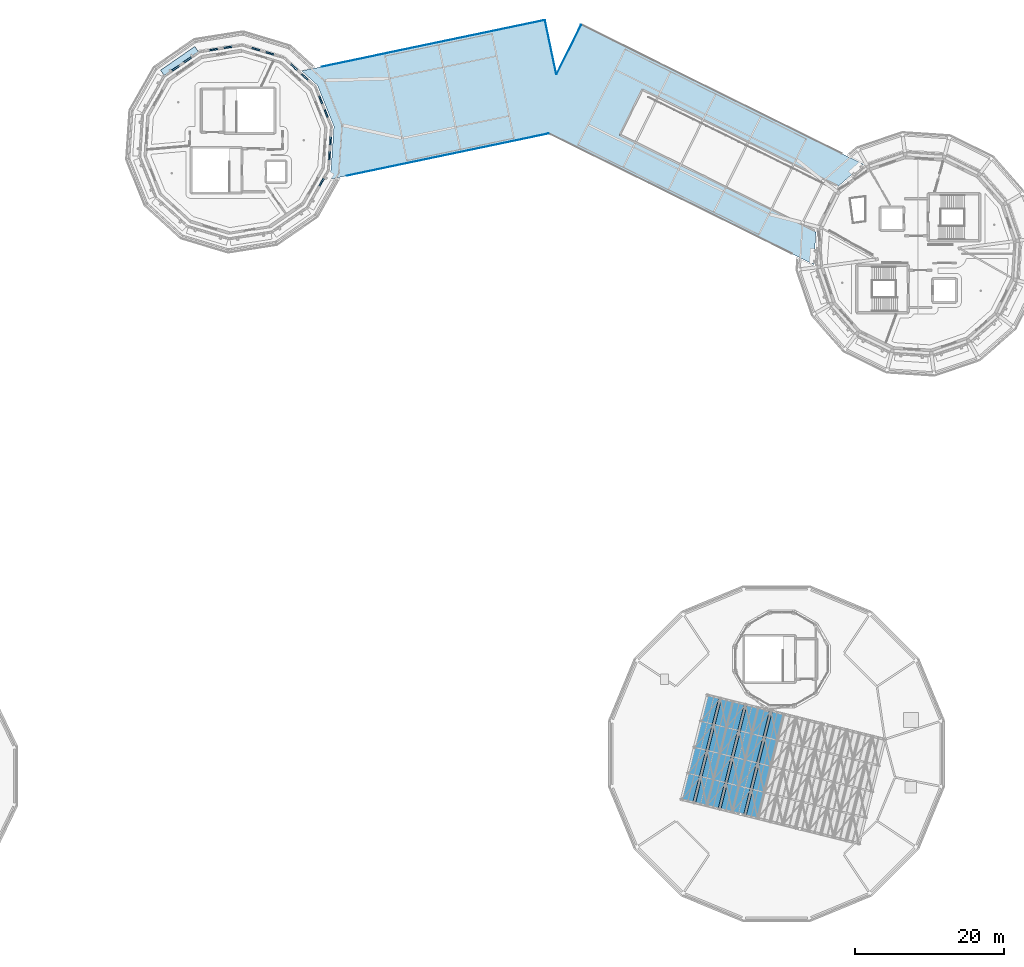
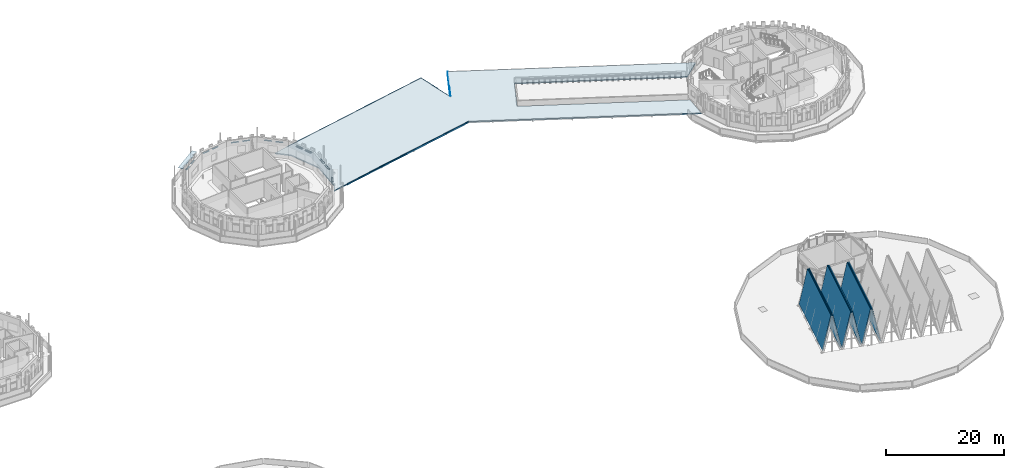
# One storey, part 19 of 51: 18 plates, 7 slabs.
"""IFC4 building model written with IfcOpenShell, lengths in metres."""

from ifc_helpers import new_model, si_unit, direction, frame, origin, origin_2d, place, context, subcontext, project, spatial, polyline, rectangle, outline, extrude, material, layer, layer_set, type_object, element, save


model = new_model("IFC4")

# Units and contexts
model_context = context("Model", 3, precision=1e-05, world=origin(), true_north=direction((0.0, 1.0)))
body_context = subcontext(model_context, "Body", "Model", "MODEL_VIEW")
ifc_project = project(units=[si_unit("LENGTHUNIT", "METRE"), si_unit("AREAUNIT", "SQUARE_METRE"), si_unit("VOLUMEUNIT", "CUBIC_METRE"), si_unit("PLANEANGLEUNIT", "RADIAN"), si_unit("MASSUNIT", "GRAM", prefix="KILO")], contexts=[model_context])

# Site, building, storey
site_placement = place(None, origin())
site = spatial("IfcSite", under=ifc_project, at=site_placement, CompositionType="ELEMENT")
building_placement = place(site_placement, origin())
building = spatial("IfcBuilding", under=site, at=building_placement, Name="Wrenclough Park School", CompositionType="ELEMENT")
storey_placement = place(building_placement, frame((0.0, 0.0, 16.800048828125)))
storey = spatial("IfcBuildingStorey", under=building, at=storey_placement, Name="L04", CompositionType="ELEMENT", Elevation=16.800048828125)

# Plates
ifc_material_1 = material(Name="Anodised architectural aluminium solar shading fin plate", Category="aluminium")
ifc_layer_1 = layer(ifc_material_1, 0.0380859375)
ifc_layer_set_1 = layer_set([ifc_layer_1], Name="Anodised architectural aluminium solar shading fin plate")
plate_type_1 = type_object("IfcPlateType", Name="ENV-PL-BSF", PredefinedType="SHEET", material=ifc_layer_set_1)
for number, where, z_axis, x_axis, name in (
    (1, (95.141357421875, 112.315185546875, 2.60595703125), (0.0, 0.0, 1.0), (-0.372297383376, 0.928113494316, 0.0), "D4 L04 open-bond brick screen tie band 0677"),
    (2, (94.412353515625, 114.1328125, 2.60595703125), (0.0, 0.0, 1.0), (-0.372297383376, 0.928113494316, 0.0), "D4 L04 open-bond brick screen tie band 0678"),
    (3, (92.28369140625, 117.205322265625, 2.60595703125), (0.0, 0.0, 1.0), (-0.738116484598, 0.674673295133, 0.0), "D4 L04 open-bond brick screen tie band 0679"),
    (4, (90.83837890625, 118.526611328125, 2.60595703125), (0.0, 0.0, 1.0), (-0.738116484598, 0.674673295133, 0.0), "D4 L04 open-bond brick screen tie band 0680"),
):
    element("IfcPlate", number, at=place(storey_placement, frame(where, z_axis=z_axis, x_axis=x_axis)), inside=storey, type_object=plate_type_1, Name=name, PredefinedType="SHEET", context=body_context, shape_type="SweptSolid", body=[
        extrude(rectangle(XDim=1.248291015625, YDim=0.219970703125, at=origin_2d()), origin(), (0.0, 0.0, 1.0), 0.0419921875),
    ])
for number, where, z_axis, x_axis, name in (
    (5, (87.587158203125, 120.371337890625, 2.60595703125), (0.0, 0.0, 1.0), (-0.957750821149, 0.287599312567, 0.0), "D4 L04 open-bond brick screen tie band 0681"),
    (6, (85.711669921875, 120.9345703125, 2.60595703125), (0.0, 0.0, 1.0), (-0.957750821149, 0.287599312567, 0.0), "D4 L04 open-bond brick screen tie band 0682"),
):
    element("IfcPlate", number, at=place(storey_placement, frame(where, z_axis=z_axis, x_axis=x_axis)), inside=storey, type_object=plate_type_1, Name=name, PredefinedType="SHEET", context=body_context, shape_type="SweptSolid", body=[
        extrude(rectangle(XDim=1.248046875, YDim=0.219970703125, at=origin_2d()), origin(), (0.0, 0.0, 1.0), 0.0419921875),
    ])
for number, where, z_axis, x_axis, name in (
    (7, (81.982177734375, 121.18603515625, 2.60595703125), (0.0, 0.0, 1.0), (-0.987688183791, -0.156435455059, 0.0), "D4 L04 open-bond brick screen tie band 0683"),
    (8, (80.048095703125, 120.879638671875, 2.60595703125), (0.0, 0.0, 1.0), (-0.987688183791, -0.156435455059, 0.0), "D4 L04 open-bond brick screen tie band 0684"),
):
    element("IfcPlate", number, at=place(storey_placement, frame(where, z_axis=z_axis, x_axis=x_axis)), inside=storey, type_object=plate_type_1, Name=name, PredefinedType="SHEET", context=body_context, shape_type="SweptSolid", body=[
        extrude(rectangle(XDim=1.248291015625, YDim=0.219970703125, at=origin_2d()), origin(), (0.0, 0.0, 1.0), 0.0419921875),
    ])
for number, where, z_axis, x_axis, name in (
    (9, (76.57861328125, 119.48779296875, 2.60595703125), (0.0, 0.0, 1.0), (-0.822007690822, -0.569476387771, 0.0), "D4 L04 open-bond brick screen tie band 0685"),
    (10, (74.968994140625, 118.372802734375, 2.60595703125), (0.0, 0.0, 1.0), (-0.822007690822, -0.569476387771, 0.0), "D4 L04 open-bond brick screen tie band 0686"),
):
    element("IfcPlate", number, at=place(storey_placement, frame(where, z_axis=z_axis, x_axis=x_axis)), inside=storey, type_object=plate_type_1, Name=name, PredefinedType="SHEET", context=body_context, shape_type="SweptSolid", body=[
        extrude(rectangle(XDim=1.248046875, YDim=0.219970703125, at=origin_2d()), origin(), (0.0, 0.0, 1.0), 0.0419921875),
    ])
plate_1_placement = place(storey_placement, frame((75.47900390625, 119.355712890625, 3.5009765625), z_axis=(0.0, 0.0, 1.0), x_axis=(-0.822007690822, -0.569476387771, 0.0)))
element("IfcPlate", 11, at=plate_1_placement, inside=storey, type_object=plate_type_1, Name="D4 L04 sun-side projecting brise-soleil blade 0126", PredefinedType="SHEET", context=body_context, shape_type="SweptSolid", body=[
    extrude(rectangle(XDim=5.574462890625, YDim=0.85009765625, at=origin_2d()), origin(), (0.0, 0.0, 1.0), 0.0380859375),
])
for number, where, z_axis, x_axis, name in (
    (12, (94.519287109375, 103.08935546875, 2.60595703125), (0.0, 0.0, 1.0), (0.493498687923, 0.869746540676, 0.0), "D4 L04 open-bond brick screen tie band 0702"),
    (13, (95.594482421875, 106.669677734375, 2.60595703125), (0.0, 0.0, 1.0), (0.067273714794, 0.997734557534, 0.0), "D4 L04 open-bond brick screen tie band 0703"),
    (14, (95.726318359375, 108.623291015625, 2.60595703125), (0.0, 0.0, 1.0), (0.067273714794, 0.997734557534, 0.0), "D4 L04 open-bond brick screen tie band 0704"),
):
    element("IfcPlate", number, at=place(storey_placement, frame(where, z_axis=z_axis, x_axis=x_axis)), inside=storey, type_object=plate_type_1, Name=name, PredefinedType="SHEET", context=body_context, shape_type="SweptSolid", body=[
        extrude(rectangle(XDim=1.248291015625, YDim=0.219970703125, at=origin_2d()), origin(), (0.0, 0.0, 1.0), 0.0419921875),
    ])
ifc_material_2 = material(Name="Patinated copper-alloy architectural eave fascia cassette", Category="aluminium")
ifc_layer_2 = layer(ifc_material_2, 0.028076171875)
ifc_layer_set_2 = layer_set([ifc_layer_2], Name="Patinated copper-alloy architectural eave fascia cassette")
plate_type_2 = type_object("IfcPlateType", Name="ENV-PL-FAS", PredefinedType="SHEET", material=ifc_layer_set_2)
plate_2_placement = place(storey_placement, frame((111.428955078125, 106.792724609375, -0.2900390625), z_axis=(0.0, 0.0, 1.0), x_axis=(0.97879027484, 0.204864828309, 0.0)))
element("IfcPlate", 15, at=plate_2_placement, inside=storey, type_object=plate_type_2, Name="Overhanging copper eave fascia plate 020", PredefinedType="SHEET", context=body_context, shape_type="SweptSolid", body=[
    extrude(rectangle(XDim=27.6044921875, YDim=0.028076171875, at=origin_2d()), origin(), (0.0, 0.0, 1.0), 0.340087890625),
])
for number, where, z_axis, x_axis, name in (
    (16, (127.667724609375, 120.85888671875, -0.2900390625), (0.0, 0.0, 1.0), (-0.443519128888, -0.896264906325, 0.0), "Overhanging copper eave fascia plate 023"),
    (17, (125.226806640625, 121.16943359375, -0.2900390625), (0.0, 0.0, 1.0), (-0.20486731303, 0.978789754775, 0.0), "Overhanging copper eave fascia plate 024"),
):
    element("IfcPlate", number, at=place(storey_placement, frame(where, z_axis=z_axis, x_axis=x_axis)), inside=storey, type_object=plate_type_2, Name=name, PredefinedType="SHEET", context=body_context, shape_type="SweptSolid", body=[
        extrude(rectangle(XDim=7.3798828125, YDim=0.028076171875, at=origin_2d()), origin(), (0.0, 0.0, 1.0), 0.340087890625),
    ])
plate_3_placement = place(storey_placement, frame((109.472412109375, 121.697998046875, -0.2900390625), z_axis=(0.0, 0.0, 1.0), x_axis=(-0.978791059344, -0.204861080119, 0.0)))
element("IfcPlate", 18, at=plate_3_placement, inside=storey, type_object=plate_type_2, Name="Overhanging copper eave fascia plate 025", PredefinedType="SHEET", context=body_context, shape_type="SweptSolid", body=[
    extrude(rectangle(XDim=30.51416015625, YDim=0.028076171875, at=origin_2d()), origin(), (0.0, 0.0, 1.0), 0.340087890625),
])

# Slabs
ifc_material_3 = material(Name="Concrete C32/40", Category="concrete")
ifc_layer_3 = layer(ifc_material_3, 0.179931640625)
ifc_layer_set_3 = layer_set([ifc_layer_3], Name="Concrete C32/40")
slab_type_1 = type_object("IfcSlabType", Name="STR-SL-RF180", PredefinedType="ROOF", material=ifc_layer_set_3)
slab_1_placement = place(storey_placement, frame((142.849609375, 20.358154296875, 0.384033203125), z_axis=(-0.949900437285, 0.236825720366, 0.203967491081), x_axis=(0.197905247012, -0.04935839235, 0.978977661803)))
element("IfcSlab", 19, at=slab_1_placement, inside=storey, type_object=slab_type_1, Name="D1 folded-plate roof bay 1 west facet", PredefinedType="ROOF", context=body_context, shape_type="SweptSolid", body=[
    extrude(outline(polyline([(0.0, 0.0), (7.2456109501398025, 9.053088140253962e-18), (7.245337979377833, 14.400082108553686), (-0.00021260366251574236, 14.399904280685446), (0.0, 0.0)])), origin(), (0.0, 0.0, -1.0), 0.179931640625),
])
slab_2_placement = place(storey_placement, frame((144.656494140625, 19.90771484375, 7.477294921875), z_axis=(0.94989404651, -0.236834495014, 0.203987064239), x_axis=(0.197924238664, -0.04936312728, -0.978973583614)))
element("IfcSlab", 20, at=slab_2_placement, inside=storey, type_object=slab_type_1, Name="D1 folded-plate roof bay 1 east facet", PredefinedType="ROOF", context=body_context, shape_type="SweptSolid", body=[
    extrude(outline(polyline([(0.0, 0.0), (7.2456109515879605, -1.1655173354219173e-17), (7.245398350821805, 14.399904281414157), (-0.00021260076615592371, 14.399904281414159), (0.0, 0.0)])), origin(), (0.0, 0.0, -1.0), 0.179931640625),
])
slab_3_placement = place(storey_placement, frame((146.24560546875, 19.51123046875, 0.384033203125), z_axis=(-0.949897816625, 0.236839595575, 0.203963584837), x_axis=(0.197909366175, -0.049325724098, 0.978978475618)))
element("IfcSlab", 21, at=slab_3_placement, inside=storey, type_object=slab_type_1, Name="D1 folded-plate roof bay 2 west facet", PredefinedType="ROOF", context=body_context, shape_type="SweptSolid", body=[
    extrude(outline(polyline([(0.0, 0.0), (7.2455989032185215, -7.838781707070197e-17), (7.24584505314349, 14.400141169179536), (0.00029446764131890735, 14.400200232050082), (0.0, 0.0)])), origin(), (0.0, 0.0, -1.0), 0.179931640625),
])
for number, where, z_axis, x_axis, name in (
    (22, (148.052490234375, 19.060791015625, 7.477294921875), (0.949896541227, -0.236841346747, 0.203967491127), (0.19791315647, -0.049326669114, -0.978977661753), "D1 folded-plate roof bay 2 east facet"),
    (23, (149.6416015625, 18.66455078125, 0.384033203125), (-0.949896541227, 0.236841346747, 0.203967491127), (0.19791315647, -0.049326669114, 0.978977661753), "D1 folded-plate roof bay 3 west facet"),
):
    element("IfcSlab", number, at=place(storey_placement, frame(where, z_axis=z_axis, x_axis=x_axis)), inside=storey, type_object=slab_type_1, Name=name, PredefinedType="ROOF", context=body_context, shape_type="SweptSolid", body=[
        extrude(outline(polyline([(0.0, 0.0), (7.245598903623523, 1.064415482837644e-16), (7.245857096076937, 14.399904280405794), (0.0002944684513036533, 14.400200232253844), (0.0, 0.0)])), origin(), (0.0, 0.0, -1.0), 0.179931640625),
    ])
slab_4_placement = place(storey_placement, frame((151.448486328125, 18.214111328125, 7.477294921875), z_axis=(0.949896845191, -0.236843491743, 0.203963584778), x_axis=(0.197909366206, -0.04932572404, -0.978978475614)))
element("IfcSlab", 24, at=slab_4_placement, inside=storey, type_object=slab_type_1, Name="D1 folded-plate roof bay 3 east facet", PredefinedType="ROOF", context=body_context, shape_type="SweptSolid", body=[
    extrude(outline(polyline([(0.0, 0.0), (7.245598903218523, 9.237402509576498e-17), (7.2458570964819495, 14.399904280201994), (0.0003065109797847354, 14.399963344003753), (0.0, 0.0)])), origin(), (0.0, 0.0, -1.0), 0.179931640625),
])
ifc_layer_4 = layer(ifc_material_3, 0.22509765625)
ifc_layer_set_4 = layer_set([ifc_layer_4], Name="Concrete C32/40")
slab_type_2 = type_object("IfcSlabType", Name="STR-SL-RF225", PredefinedType="ROOF", material=ifc_layer_set_4)
slab_5_placement = place(storey_placement, frame((0.0, 0.0, -0.22509765625)))
element("IfcSlab", 25, at=slab_5_placement, inside=storey, type_object=slab_type_2, Name="W45 L04 structural slab SLAB-EAVE-W45-L04", PredefinedType="ROOF", context=body_context, shape_type="SweptSolid", body=[
    extrude(outline(polyline([(96.1748046875, 110.593017578125), (95.780517578125, 104.681884765625), (95.039306640625, 103.357421875), (124.998046875, 109.627685546875), (160.504638671875, 92.0576171875), (160.789794921875, 96.40771484375), (134.454345703125, 109.4072265625), (137.450927734375, 115.575439453125), (163.853515625, 102.612548828125), (167.151123046875, 105.504638671875), (129.326416015625, 124.221923828125), (126.0, 117.5), (124.46337890625, 124.8408203125), (91.8681640625, 118.018798828125), (93.968994140625, 116.091796875), (96.1748046875, 110.593017578125)])), origin(), (0.0, 0.0, 1.0), 0.22509765625),
])

save(model, "model.ifc")
